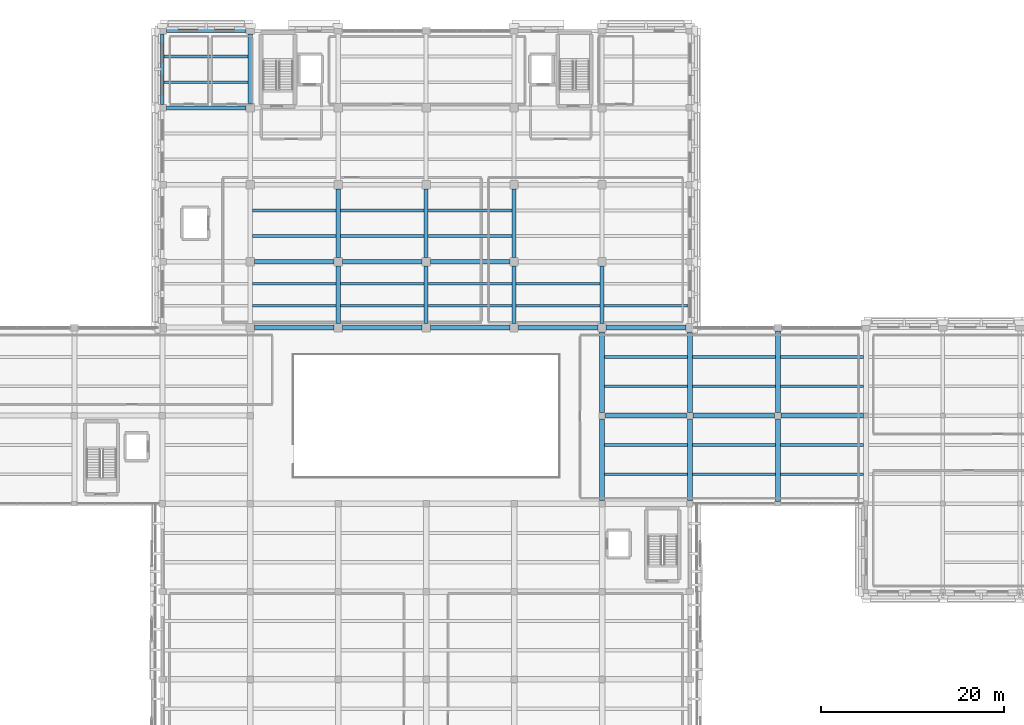
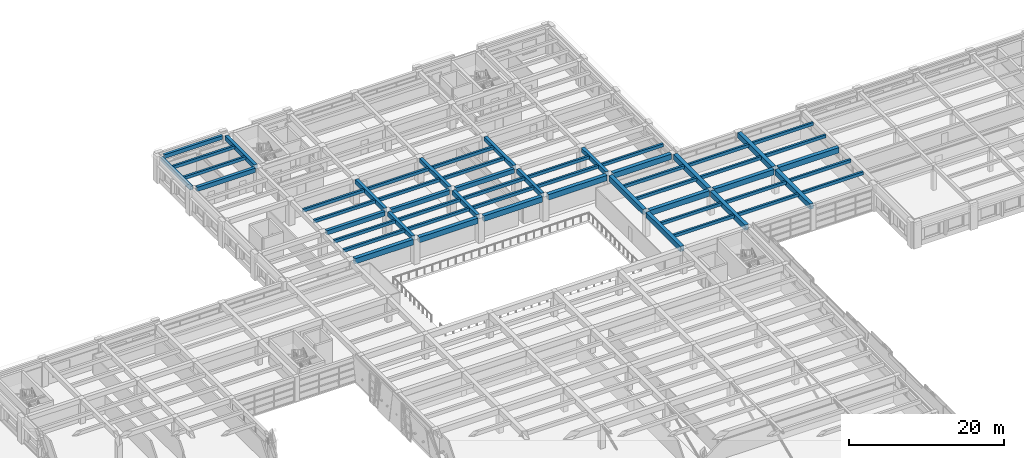
# One storey, part 22 of 62: 57 beams.
"""IFC4 building model written with IfcOpenShell, lengths in metres."""

from ifc_helpers import new_model, si_unit, direction, frame, origin, origin_2d, place, context, subcontext, project, spatial, rectangle, extrude, material, material_profile, profile_set, type_object, element, save


model = new_model("IFC4")

# Units and contexts
model_context = context("Model", 3, precision=1e-05, world=origin(), true_north=direction((0.0, 1.0)))
body_context = subcontext(model_context, "Body", "Model", "MODEL_VIEW")
ifc_project = project(units=[si_unit("LENGTHUNIT", "METRE"), si_unit("AREAUNIT", "SQUARE_METRE"), si_unit("VOLUMEUNIT", "CUBIC_METRE"), si_unit("PLANEANGLEUNIT", "RADIAN"), si_unit("MASSUNIT", "GRAM", prefix="KILO")], contexts=[model_context])

# Site, building, storey
site_placement = place(None, origin())
site = spatial("IfcSite", under=ifc_project, at=site_placement, CompositionType="ELEMENT")
building_placement = place(site_placement, origin())
building = spatial("IfcBuilding", under=site, at=building_placement, Name="Bempovik Park Faculty of Sciences", CompositionType="ELEMENT")
storey_placement = place(building_placement, frame((0.0, 0.0, 9.89990234375)))
storey = spatial("IfcBuildingStorey", under=building, at=storey_placement, Name="L02", CompositionType="ELEMENT", Elevation=9.89990234375)

# Beams
ifc_material_1 = material(Name="Concrete C35/45", Category="concrete")
ifc_material_profile_1 = material_profile(ifc_material_1, rectangle(XDim=0.3798828125, YDim=0.60009765625, at=origin_2d()), Name="RC 380x600")
ifc_profile_set_1 = profile_set([ifc_material_profile_1], Name="Concrete C35/45")
beam_type_1 = type_object("IfcBeamType", Name="B-032 RC 380x600", PredefinedType="SPANDREL", material=ifc_profile_set_1)
beam_1_placement = place(storey_placement, frame((60.4560546875, 119.39990234375, 3.60009765625), z_axis=(1.0, 0.0, 0.0), x_axis=(0.0, 1.0, 0.0)))
element("IfcBeam", 1, at=beam_1_placement, inside=storey, type_object=beam_type_1, Name="L02 Beam X (60.0-69.6, y=119.4)", PredefinedType="SPANDREL", context=body_context, shape_type="SweptSolid", body=[
    extrude(rectangle(XDim=0.3798828125, YDim=0.60009765625, at=origin_2d()), origin(), (0.0, 0.0, 1.0), 8.68798828125),
])
beam_2_placement = place(storey_placement, frame((60.0, 111.35595703125, 3.60009765625), z_axis=(0.0, 1.0, 0.0), x_axis=(-1.0, 0.0, 0.0)))
element("IfcBeam", 2, at=beam_2_placement, inside=storey, type_object=beam_type_1, Name="L02 Beam Y (x=60.0, 111.0-119.4)", PredefinedType="SPANDREL", context=body_context, shape_type="SweptSolid", body=[
    extrude(rectangle(XDim=0.3798828125, YDim=0.60009765625, at=origin_2d()), origin(), (0.0, 0.0, 1.0), 7.68798828125),
])
ifc_material_profile_2 = material_profile(ifc_material_1, rectangle(XDim=0.300048828125, YDim=0.47998046875, at=origin_2d()), Name="RC 300x480")
ifc_profile_set_2 = profile_set([ifc_material_profile_2], Name="Concrete C35/45")
beam_type_2 = type_object("IfcBeamType", Name="B-039 RC 300x480", PredefinedType="JOIST", material=ifc_profile_set_2)
for number, where, z_axis, x_axis, name in (
    (3, (60.196044921875, 113.800048828125, 3.66015625), (1.0, 0.0, 0.0), (0.0, 1.0, 0.0), "L02 Secondary Joist (60.0-69.6, y=113.80)"),
    (4, (60.196044921875, 116.60009765625, 3.66015625), (1.0, 0.0, 0.0), (0.0, 1.0, 0.0), "L02 Secondary Joist (60.0-69.6, y=116.60)"),
):
    element("IfcBeam", number, at=place(storey_placement, frame(where, z_axis=z_axis, x_axis=x_axis)), inside=storey, type_object=beam_type_2, Name=name, PredefinedType="JOIST", context=body_context, shape_type="SweptSolid", body=[
        extrude(rectangle(XDim=0.300048828125, YDim=0.47998046875, at=origin_2d()), origin(), (0.0, 0.0, 1.0), 9.1728515625),
    ])
for number, where, z_axis, x_axis, name in (
    (5, (69.8310546875, 89.39990234375, 3.66015625), (1.0, 0.0, 0.0), (0.0, 1.0, 0.0), "L02 Secondary Joist (69.6-79.2, y=89.40)"),
    (6, (69.8310546875, 91.800048828125, 3.66015625), (1.0, 0.0, 0.0), (0.0, 1.0, 0.0), "L02 Secondary Joist (69.6-79.2, y=91.80)"),
    (7, (69.8310546875, 97.0, 3.66015625), (1.0, 0.0, 0.0), (0.0, 1.0, 0.0), "L02 Secondary Joist (69.6-79.2, y=97.00)"),
    (8, (69.8310546875, 99.800048828125, 3.66015625), (1.0, 0.0, 0.0), (0.0, 1.0, 0.0), "L02 Secondary Joist (69.6-79.2, y=99.80)"),
):
    element("IfcBeam", number, at=place(storey_placement, frame(where, z_axis=z_axis, x_axis=x_axis)), inside=storey, type_object=beam_type_2, Name=name, PredefinedType="JOIST", context=body_context, shape_type="SweptSolid", body=[
        extrude(rectangle(XDim=0.300048828125, YDim=0.47998046875, at=origin_2d()), origin(), (0.0, 0.0, 1.0), 9.137939453125),
    ])
for number, where, z_axis, x_axis, name in (
    (9, (79.430908203125, 89.39990234375, 3.66015625), (1.0, 0.0, 0.0), (0.0, 1.0, 0.0), "L02 Secondary Joist (79.2-88.8, y=89.40)"),
    (10, (79.430908203125, 91.800048828125, 3.66015625), (1.0, 0.0, 0.0), (0.0, 1.0, 0.0), "L02 Secondary Joist (79.2-88.8, y=91.80)"),
    (11, (79.430908203125, 97.0, 3.66015625), (1.0, 0.0, 0.0), (0.0, 1.0, 0.0), "L02 Secondary Joist (79.2-88.8, y=97.00)"),
    (12, (79.430908203125, 99.800048828125, 3.66015625), (1.0, 0.0, 0.0), (0.0, 1.0, 0.0), "L02 Secondary Joist (79.2-88.8, y=99.80)"),
):
    element("IfcBeam", number, at=place(storey_placement, frame(where, z_axis=z_axis, x_axis=x_axis)), inside=storey, type_object=beam_type_2, Name=name, PredefinedType="JOIST", context=body_context, shape_type="SweptSolid", body=[
        extrude(rectangle(XDim=0.300048828125, YDim=0.47998046875, at=origin_2d()), origin(), (0.0, 0.0, 1.0), 9.13818359375),
    ])
for number, where, z_axis, x_axis, name in (
    (13, (89.031005859375, 89.39990234375, 3.66015625), (1.0, 0.0, 0.0), (0.0, 1.0, 0.0), "L02 Secondary Joist (88.8-98.4, y=89.40)"),
    (14, (89.031005859375, 91.800048828125, 3.66015625), (1.0, 0.0, 0.0), (0.0, 1.0, 0.0), "L02 Secondary Joist (88.8-98.4, y=91.80)"),
    (15, (89.031005859375, 97.0, 3.66015625), (1.0, 0.0, 0.0), (0.0, 1.0, 0.0), "L02 Secondary Joist (88.8-98.4, y=97.00)"),
    (16, (89.031005859375, 99.800048828125, 3.66015625), (1.0, 0.0, 0.0), (0.0, 1.0, 0.0), "L02 Secondary Joist (88.8-98.4, y=99.80)"),
    (17, (98.631103515625, 89.39990234375, 3.66015625), (1.0, 0.0, 0.0), (0.0, 1.0, 0.0), "L02 Secondary Joist (98.4-108.0, y=89.40)"),
    (18, (98.631103515625, 91.800048828125, 3.66015625), (1.0, 0.0, 0.0), (0.0, 1.0, 0.0), "L02 Secondary Joist (98.4-108.0, y=91.80)"),
):
    element("IfcBeam", number, at=place(storey_placement, frame(where, z_axis=z_axis, x_axis=x_axis)), inside=storey, type_object=beam_type_2, Name=name, PredefinedType="JOIST", context=body_context, shape_type="SweptSolid", body=[
        extrude(rectangle(XDim=0.300048828125, YDim=0.47998046875, at=origin_2d()), origin(), (0.0, 0.0, 1.0), 9.137939453125),
    ])
for number, where, z_axis, x_axis, name in (
    (19, (108.281005859375, 71.0, 3.66015625), (1.0, 0.0, 0.0), (0.0, 1.0, 0.0), "L02 Secondary Joist (108.0-117.6, y=71.00)"),
    (20, (108.281005859375, 74.199951171875, 3.66015625), (1.0, 0.0, 0.0), (0.0, 1.0, 0.0), "L02 Secondary Joist (108.0-117.6, y=74.20)"),
    (21, (108.281005859375, 80.60009765625, 3.66015625), (1.0, 0.0, 0.0), (0.0, 1.0, 0.0), "L02 Secondary Joist (108.0-117.6, y=80.60)"),
    (22, (108.281005859375, 83.800048828125, 3.66015625), (1.0, 0.0, 0.0), (0.0, 1.0, 0.0), "L02 Secondary Joist (108.0-117.6, y=83.80)"),
):
    element("IfcBeam", number, at=place(storey_placement, frame(where, z_axis=z_axis, x_axis=x_axis)), inside=storey, type_object=beam_type_2, Name=name, PredefinedType="JOIST", context=body_context, shape_type="SweptSolid", body=[
        extrude(rectangle(XDim=0.300048828125, YDim=0.47998046875, at=origin_2d()), origin(), (0.0, 0.0, 1.0), 9.0380859375),
    ])
beam_3_placement = place(storey_placement, frame((108.23095703125, 89.39990234375, 3.66015625), z_axis=(1.0, 0.0, 0.0), x_axis=(0.0, 1.0, 0.0)))
element("IfcBeam", 23, at=beam_3_placement, inside=storey, type_object=beam_type_2, Name="L02 Secondary Joist (108.0-117.6, y=89.40)", PredefinedType="JOIST", context=body_context, shape_type="SweptSolid", body=[
    extrude(rectangle(XDim=0.300048828125, YDim=0.47998046875, at=origin_2d()), origin(), (0.0, 0.0, 1.0), 9.173095703125),
])
for number, where, z_axis, x_axis, name in (
    (24, (117.881103515625, 71.0, 3.66015625), (1.0, 0.0, 0.0), (0.0, 1.0, 0.0), "L02 Secondary Joist (117.6-127.2, y=71.00)"),
    (25, (117.881103515625, 74.199951171875, 3.66015625), (1.0, 0.0, 0.0), (0.0, 1.0, 0.0), "L02 Secondary Joist (117.6-127.2, y=74.20)"),
    (26, (117.881103515625, 80.60009765625, 3.66015625), (1.0, 0.0, 0.0), (0.0, 1.0, 0.0), "L02 Secondary Joist (117.6-127.2, y=80.60)"),
    (27, (117.881103515625, 83.800048828125, 3.66015625), (1.0, 0.0, 0.0), (0.0, 1.0, 0.0), "L02 Secondary Joist (117.6-127.2, y=83.80)"),
):
    element("IfcBeam", number, at=place(storey_placement, frame(where, z_axis=z_axis, x_axis=x_axis)), inside=storey, type_object=beam_type_2, Name=name, PredefinedType="JOIST", context=body_context, shape_type="SweptSolid", body=[
        extrude(rectangle(XDim=0.300048828125, YDim=0.47998046875, at=origin_2d()), origin(), (0.0, 0.0, 1.0), 9.037841796875),
    ])
for number, where, z_axis, x_axis, name in (
    (28, (127.48095703125, 71.0, 3.72021484375), (1.0, 0.0, 0.0), (0.0, 1.0, 0.0), "L02 Secondary Joist (127.2-136.8, y=71.00)"),
    (29, (127.48095703125, 74.199951171875, 3.72021484375), (1.0, 0.0, 0.0), (0.0, 1.0, 0.0), "L02 Secondary Joist (127.2-136.8, y=74.20)"),
    (30, (127.48095703125, 80.60009765625, 3.72021484375), (1.0, 0.0, 0.0), (0.0, 1.0, 0.0), "L02 Secondary Joist (127.2-136.8, y=80.60)"),
    (31, (127.48095703125, 83.800048828125, 3.72021484375), (1.0, 0.0, 0.0), (0.0, 1.0, 0.0), "L02 Secondary Joist (127.2-136.8, y=83.80)"),
):
    element("IfcBeam", number, at=place(storey_placement, frame(where, z_axis=z_axis, x_axis=x_axis)), inside=storey, type_object=beam_type_2, Name=name, PredefinedType="JOIST", context=body_context, shape_type="SweptSolid", body=[
        extrude(rectangle(XDim=0.300048828125, YDim=0.47998046875, at=origin_2d()), origin(), (0.0, 0.0, 1.0), 9.0380859375),
    ])
ifc_material_2 = material(Name="Concrete C40/50", Category="concrete")
ifc_material_profile_3 = material_profile(ifc_material_2, rectangle(XDim=0.550048828125, YDim=0.85009765625, at=origin_2d()), Name="RC 550x850")
ifc_profile_set_3 = profile_set([ifc_material_profile_3], Name="Concrete C40/50")
beam_type_3 = type_object("IfcBeamType", Name="B-080 RC 550x850", PredefinedType="BEAM", material=ifc_profile_set_3)
for number, where, z_axis, x_axis, name in (
    (32, (108.35595703125, 77.39990234375, 3.47509765625), (1.0, 0.0, 0.0), (0.0, 1.0, 0.0), "L02 Beam X (108.0-117.6, y=77.4)"),
    (33, (117.9560546875, 77.39990234375, 3.47509765625), (1.0, 0.0, 0.0), (0.0, 1.0, 0.0), "L02 Beam X (117.6-127.2, y=77.4)"),
):
    element("IfcBeam", number, at=place(storey_placement, frame(where, z_axis=z_axis, x_axis=x_axis)), inside=storey, type_object=beam_type_3, Name=name, PredefinedType="BEAM", context=body_context, shape_type="SweptSolid", body=[
        extrude(rectangle(XDim=0.550048828125, YDim=0.85009765625, at=origin_2d()), origin(), (0.0, 0.0, 1.0), 8.887939453125),
    ])
beam_4_placement = place(storey_placement, frame((127.555908203125, 77.39990234375, 3.53515625), z_axis=(1.0, 0.0, 0.0), x_axis=(0.0, 1.0, 0.0)))
element("IfcBeam", 34, at=beam_4_placement, inside=storey, type_object=beam_type_3, Name="L02 Beam X (127.2-136.8, y=77.4)", PredefinedType="BEAM", context=body_context, shape_type="SweptSolid", body=[
    extrude(rectangle(XDim=0.550048828125, YDim=0.85009765625, at=origin_2d()), origin(), (0.0, 0.0, 1.0), 8.97802734375),
])
for number, where, z_axis, x_axis, name in (
    (35, (70.055908203125, 87.0, 3.47509765625), (1.0, 0.0, 0.0), (0.0, 1.0, 0.0), "L02 Beam X (69.6-79.2, y=87.0)"),
    (36, (79.656005859375, 87.0, 3.47509765625), (1.0, 0.0, 0.0), (0.0, 1.0, 0.0), "L02 Beam X (79.2-88.8, y=87.0)"),
    (37, (89.256103515625, 87.0, 3.47509765625), (1.0, 0.0, 0.0), (0.0, 1.0, 0.0), "L02 Beam X (88.8-98.4, y=87.0)"),
    (38, (98.85595703125, 87.0, 3.47509765625), (1.0, 0.0, 0.0), (0.0, 1.0, 0.0), "L02 Beam X (98.4-108.0, y=87.0)"),
    (39, (108.4560546875, 87.0, 3.47509765625), (1.0, 0.0, 0.0), (0.0, 1.0, 0.0), "L02 Beam X (108.0-117.6, y=87.0)"),
):
    element("IfcBeam", number, at=place(storey_placement, frame(where, z_axis=z_axis, x_axis=x_axis)), inside=storey, type_object=beam_type_3, Name=name, PredefinedType="BEAM", context=body_context, shape_type="SweptSolid", body=[
        extrude(rectangle(XDim=0.550048828125, YDim=0.85009765625, at=origin_2d()), origin(), (0.0, 0.0, 1.0), 8.68798828125),
    ])
beam_5_placement = place(storey_placement, frame((108.0, 68.156005859375, 3.47509765625), z_axis=(0.0, 1.0, 0.0), x_axis=(-1.0, 0.0, 0.0)))
element("IfcBeam", 40, at=beam_5_placement, inside=storey, type_object=beam_type_3, Name="L02 Beam Y (x=108.0, 67.8-77.4)", PredefinedType="BEAM", context=body_context, shape_type="SweptSolid", body=[
    extrude(rectangle(XDim=0.550048828125, YDim=0.85009765625, at=origin_2d()), origin(), (0.0, 0.0, 1.0), 8.887939453125),
])
beam_6_placement = place(storey_placement, frame((108.0, 77.756103515625, 3.47509765625), z_axis=(0.0, 1.0, 0.0), x_axis=(-1.0, 0.0, 0.0)))
element("IfcBeam", 41, at=beam_6_placement, inside=storey, type_object=beam_type_3, Name="L02 Beam Y (x=108.0, 77.4-87.0)", PredefinedType="BEAM", context=body_context, shape_type="SweptSolid", body=[
    extrude(rectangle(XDim=0.550048828125, YDim=0.85009765625, at=origin_2d()), origin(), (0.0, 0.0, 1.0), 8.787841796875),
])
beam_7_placement = place(storey_placement, frame((117.60009765625, 68.156005859375, 3.47509765625), z_axis=(0.0, 1.0, 0.0), x_axis=(-1.0, 0.0, 0.0)))
element("IfcBeam", 42, at=beam_7_placement, inside=storey, type_object=beam_type_3, Name="L02 Beam Y (x=117.6, 67.8-77.4)", PredefinedType="BEAM", context=body_context, shape_type="SweptSolid", body=[
    extrude(rectangle(XDim=0.550048828125, YDim=0.85009765625, at=origin_2d()), origin(), (0.0, 0.0, 1.0), 8.887939453125),
])
beam_8_placement = place(storey_placement, frame((117.60009765625, 77.756103515625, 3.47509765625), z_axis=(0.0, 1.0, 0.0), x_axis=(-1.0, 0.0, 0.0)))
element("IfcBeam", 43, at=beam_8_placement, inside=storey, type_object=beam_type_3, Name="L02 Beam Y (x=117.6, 77.4-87.0)", PredefinedType="BEAM", context=body_context, shape_type="SweptSolid", body=[
    extrude(rectangle(XDim=0.550048828125, YDim=0.85009765625, at=origin_2d()), origin(), (0.0, 0.0, 1.0), 8.787841796875),
])
beam_9_placement = place(storey_placement, frame((127.199951171875, 68.055908203125, 3.47509765625), z_axis=(0.0, 1.0, 0.0), x_axis=(-1.0, 0.0, 0.0)))
element("IfcBeam", 44, at=beam_9_placement, inside=storey, type_object=beam_type_3, Name="L02 Beam Y (x=127.2, 67.8-77.4)", PredefinedType="BEAM", context=body_context, shape_type="SweptSolid", body=[
    extrude(rectangle(XDim=0.550048828125, YDim=0.85009765625, at=origin_2d()), origin(), (0.0, 0.0, 1.0), 8.988037109375),
])
beam_10_placement = place(storey_placement, frame((127.199951171875, 77.756103515625, 3.47509765625), z_axis=(0.0, 1.0, 0.0), x_axis=(-1.0, 0.0, 0.0)))
element("IfcBeam", 45, at=beam_10_placement, inside=storey, type_object=beam_type_3, Name="L02 Beam Y (x=127.2, 77.4-87.0)", PredefinedType="BEAM", context=body_context, shape_type="SweptSolid", body=[
    extrude(rectangle(XDim=0.550048828125, YDim=0.85009765625, at=origin_2d()), origin(), (0.0, 0.0, 1.0), 8.887939453125),
])
ifc_material_profile_4 = material_profile(ifc_material_1, rectangle(XDim=0.449951171875, YDim=0.679931640625, at=origin_2d()), Name="RC 450x680")
ifc_profile_set_4 = profile_set([ifc_material_profile_4], Name="Concrete C35/45")
beam_type_4 = type_object("IfcBeamType", Name="B-113 RC 450x680", PredefinedType="BEAM", material=ifc_profile_set_4)
for number, where, z_axis, x_axis, name in (
    (46, (70.055908203125, 94.199951171875, 3.56005859375), (1.0, 0.0, 0.0), (0.0, 1.0, 0.0), "L02 Beam X (69.6-79.2, y=94.2)"),
    (47, (79.656005859375, 94.199951171875, 3.56005859375), (1.0, 0.0, 0.0), (0.0, 1.0, 0.0), "L02 Beam X (79.2-88.8, y=94.2)"),
    (48, (89.256103515625, 94.199951171875, 3.56005859375), (1.0, 0.0, 0.0), (0.0, 1.0, 0.0), "L02 Beam X (88.8-98.4, y=94.2)"),
    (49, (60.4560546875, 111.0, 3.56005859375), (1.0, 0.0, 0.0), (0.0, 1.0, 0.0), "L02 Beam X (60.0-69.6, y=111.0)"),
):
    element("IfcBeam", number, at=place(storey_placement, frame(where, z_axis=z_axis, x_axis=x_axis)), inside=storey, type_object=beam_type_4, Name=name, PredefinedType="BEAM", context=body_context, shape_type="SweptSolid", body=[
        extrude(rectangle(XDim=0.449951171875, YDim=0.679931640625, at=origin_2d()), origin(), (0.0, 0.0, 1.0), 8.68798828125),
    ])
beam_11_placement = place(storey_placement, frame((69.60009765625, 111.4560546875, 3.56005859375), z_axis=(0.0, 1.0, 0.0), x_axis=(-1.0, 0.0, 0.0)))
element("IfcBeam", 50, at=beam_11_placement, inside=storey, type_object=beam_type_4, Name="L02 Beam Y (x=69.6, 111.0-119.4)", PredefinedType="BEAM", context=body_context, shape_type="SweptSolid", body=[
    extrude(rectangle(XDim=0.449951171875, YDim=0.679931640625, at=origin_2d()), origin(), (0.0, 0.0, 1.0), 7.587890625),
])
beam_12_placement = place(storey_placement, frame((79.199951171875, 87.4560546875, 3.56005859375), z_axis=(0.0, 1.0, 0.0), x_axis=(-1.0, 0.0, 0.0)))
element("IfcBeam", 51, at=beam_12_placement, inside=storey, type_object=beam_type_4, Name="L02 Beam Y (x=79.2, 87.0-94.2)", PredefinedType="BEAM", context=body_context, shape_type="SweptSolid", body=[
    extrude(rectangle(XDim=0.449951171875, YDim=0.679931640625, at=origin_2d()), origin(), (0.0, 0.0, 1.0), 6.287841796875),
])
beam_13_placement = place(storey_placement, frame((79.199951171875, 94.656005859375, 3.56005859375), z_axis=(0.0, 1.0, 0.0), x_axis=(-1.0, 0.0, 0.0)))
element("IfcBeam", 52, at=beam_13_placement, inside=storey, type_object=beam_type_4, Name="L02 Beam Y (x=79.2, 94.2-102.6)", PredefinedType="BEAM", context=body_context, shape_type="SweptSolid", body=[
    extrude(rectangle(XDim=0.449951171875, YDim=0.679931640625, at=origin_2d()), origin(), (0.0, 0.0, 1.0), 7.488037109375),
])
beam_14_placement = place(storey_placement, frame((88.800048828125, 87.4560546875, 3.56005859375), z_axis=(0.0, 1.0, 0.0), x_axis=(-1.0, 0.0, 0.0)))
element("IfcBeam", 53, at=beam_14_placement, inside=storey, type_object=beam_type_4, Name="L02 Beam Y (x=88.8, 87.0-94.2)", PredefinedType="BEAM", context=body_context, shape_type="SweptSolid", body=[
    extrude(rectangle(XDim=0.449951171875, YDim=0.679931640625, at=origin_2d()), origin(), (0.0, 0.0, 1.0), 6.287841796875),
])
beam_15_placement = place(storey_placement, frame((88.800048828125, 94.656005859375, 3.56005859375), z_axis=(0.0, 1.0, 0.0), x_axis=(-1.0, 0.0, 0.0)))
element("IfcBeam", 54, at=beam_15_placement, inside=storey, type_object=beam_type_4, Name="L02 Beam Y (x=88.8, 94.2-102.6)", PredefinedType="BEAM", context=body_context, shape_type="SweptSolid", body=[
    extrude(rectangle(XDim=0.449951171875, YDim=0.679931640625, at=origin_2d()), origin(), (0.0, 0.0, 1.0), 7.488037109375),
])
beam_16_placement = place(storey_placement, frame((98.39990234375, 87.4560546875, 3.56005859375), z_axis=(0.0, 1.0, 0.0), x_axis=(-1.0, 0.0, 0.0)))
element("IfcBeam", 55, at=beam_16_placement, inside=storey, type_object=beam_type_4, Name="L02 Beam Y (x=98.4, 87.0-94.2)", PredefinedType="BEAM", context=body_context, shape_type="SweptSolid", body=[
    extrude(rectangle(XDim=0.449951171875, YDim=0.679931640625, at=origin_2d()), origin(), (0.0, 0.0, 1.0), 6.287841796875),
])
beam_17_placement = place(storey_placement, frame((98.39990234375, 94.656005859375, 3.56005859375), z_axis=(0.0, 1.0, 0.0), x_axis=(-1.0, 0.0, 0.0)))
element("IfcBeam", 56, at=beam_17_placement, inside=storey, type_object=beam_type_4, Name="L02 Beam Y (x=98.4, 94.2-102.6)", PredefinedType="BEAM", context=body_context, shape_type="SweptSolid", body=[
    extrude(rectangle(XDim=0.449951171875, YDim=0.679931640625, at=origin_2d()), origin(), (0.0, 0.0, 1.0), 7.488037109375),
])
beam_18_placement = place(storey_placement, frame((108.0, 87.4560546875, 3.56005859375), z_axis=(0.0, 1.0, 0.0), x_axis=(-1.0, 0.0, 0.0)))
element("IfcBeam", 57, at=beam_18_placement, inside=storey, type_object=beam_type_4, Name="L02 Beam Y (x=108.0, 87.0-94.2)", PredefinedType="BEAM", context=body_context, shape_type="SweptSolid", body=[
    extrude(rectangle(XDim=0.449951171875, YDim=0.679931640625, at=origin_2d()), origin(), (0.0, 0.0, 1.0), 6.287841796875),
])

save(model, "model.ifc")
